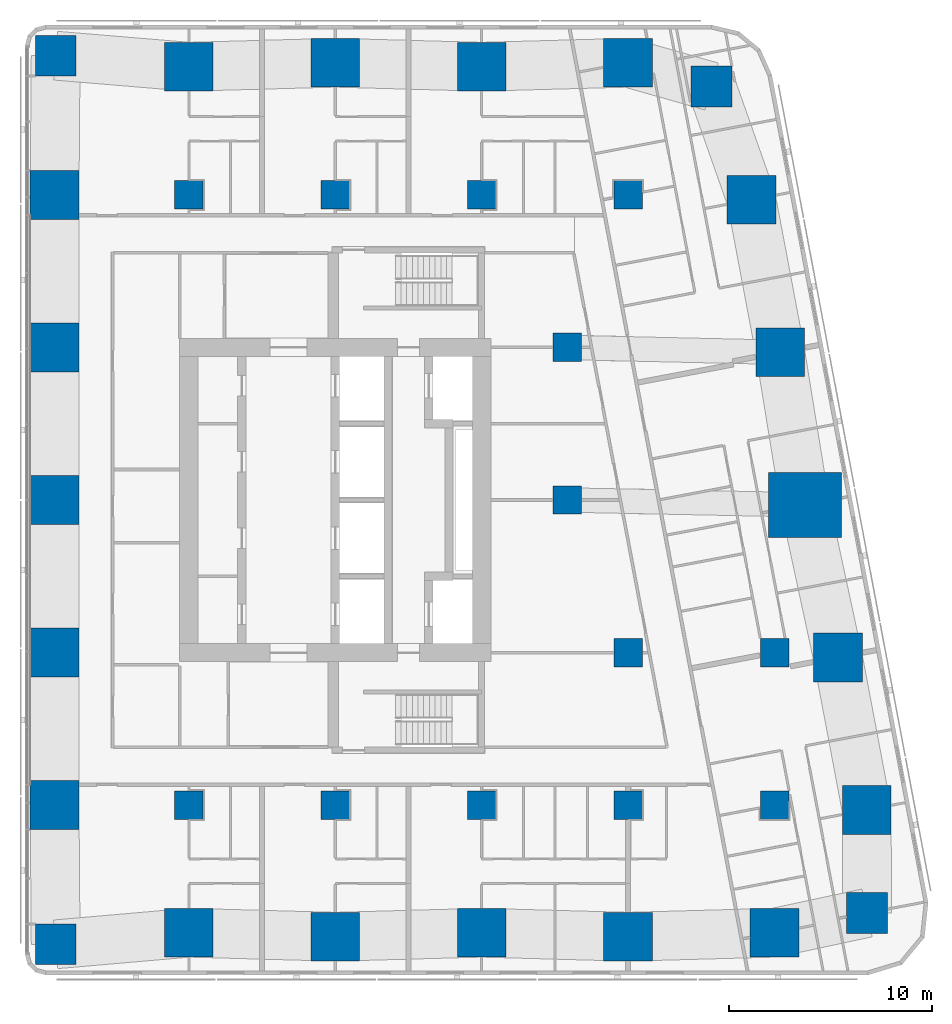
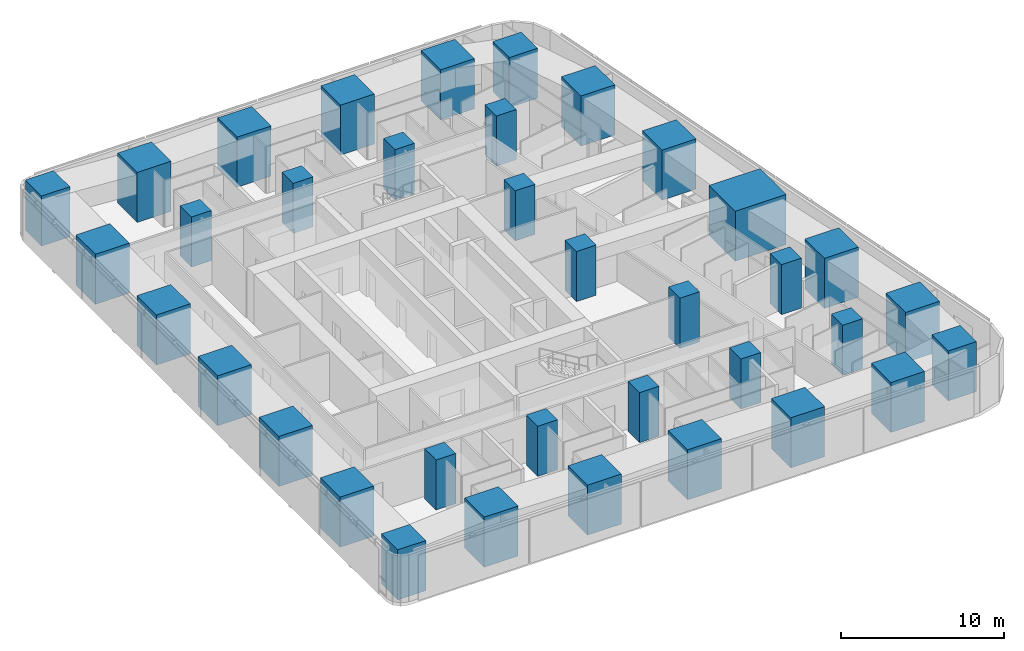
# One storey, part 1 of 17: 36 columns.
"""IFC4 building model written with IfcOpenShell, lengths in metres."""

from ifc_helpers import new_model, si_unit, direction, frame, origin, origin_2d, place, context, subcontext, project, spatial, rectangle, extrude, material, material_profile, profile_set, type_object, element, save


model = new_model("IFC4")

# Units and contexts
model_context = context("Model", 3, precision=1e-05, world=origin(), true_north=direction((0.0, 1.0)))
body_context = subcontext(model_context, "Body", "Model", "MODEL_VIEW")
ifc_project = project(units=[si_unit("LENGTHUNIT", "METRE"), si_unit("AREAUNIT", "SQUARE_METRE"), si_unit("VOLUMEUNIT", "CUBIC_METRE"), si_unit("PLANEANGLEUNIT", "RADIAN"), si_unit("MASSUNIT", "GRAM", prefix="KILO")], contexts=[model_context])

# Site, building, storey
site_placement = place(None, origin())
site = spatial("IfcSite", under=ifc_project, at=site_placement, CompositionType="ELEMENT")
building_placement = place(site_placement, origin())
building = spatial("IfcBuilding", under=site, at=building_placement, Name="Sheger Commons Tower", CompositionType="ELEMENT")
storey_placement = place(building_placement, frame((0.0, 0.0, 204.949951171875)))
storey = spatial("IfcBuildingStorey", under=building, at=storey_placement, Name="L52", CompositionType="ELEMENT", Elevation=204.949951171875)

# Columns
ifc_material_1 = material(Name="Concrete C50/60", Category="concrete")
ifc_material_profile_1 = material_profile(ifc_material_1, rectangle(XDim=3.60009765625, YDim=3.199951171875, at=origin_2d()), Name="RC 3600x3200")
ifc_profile_set_1 = profile_set([ifc_material_profile_1], Name="Concrete C50/60")
column_type_1 = type_object("IfcColumnType", Name="COLUMN PIER RC 3600x3200", PredefinedType="COLUMN", material=ifc_profile_set_1)
column_placement = place(storey_placement, frame((44.697021484375, 22.262939453125, 0.0), z_axis=(0.0, 0.0, 1.0), x_axis=(1.0, 0.0, 0.0)))
element("IfcColumn", 1, at=column_placement, inside=storey, type_object=column_type_1, Name="Pier 7/D+E/D L52", PredefinedType="COLUMN", context=body_context, shape_type="SweptSolid", body=[
    extrude(rectangle(XDim=3.60009765625, YDim=3.199951171875, at=origin_2d()), origin(), (0.0, 0.0, 1.0), 3.75),
])
ifc_material_2 = material(Name="Concrete C50/60", Category="concrete")
ifc_material_profile_2 = material_profile(ifc_material_2, rectangle(XDim=1.39990234375, YDim=1.39990234375, at=origin_2d()), Name="RC 1400x1400")
ifc_profile_set_2 = profile_set([ifc_material_profile_2], Name="Concrete C50/60")
column_type_2 = type_object("IfcColumnType", Name="COLUMN RC 1400x1400", PredefinedType="COLUMN", material=ifc_profile_set_2)
for number, where, z_axis, x_axis, name in (
    (2, (14.39990234375, 7.5, 0.0), (0.0, 0.0, 1.0), (1.0, 0.0, 0.0), "Column 3/B L52"),
    (3, (21.60009765625, 7.5, 0.0), (0.0, 0.0, 1.0), (1.0, 0.0, 0.0), "Column 4/B L52"),
    (4, (28.800048828125, 7.5, 0.0), (0.0, 0.0, 1.0), (1.0, 0.0, 0.0), "Column 5/B L52"),
    (5, (36.0, 7.5, 0.0), (0.0, 0.0, 1.0), (1.0, 0.0, 0.0), "Column 6/B L52"),
    (6, (43.199951171875, 7.5, 0.0), (0.0, 0.0, 1.0), (1.0, 0.0, 0.0), "Column 7/B L52"),
    (7, (36.0, 15.0, 0.0), (0.0, 0.0, 1.0), (1.0, 0.0, 0.0), "Column 6/C L52"),
    (8, (43.199951171875, 15.0, 0.0), (0.0, 0.0, 1.0), (1.0, 0.0, 0.0), "Column 7/C L52"),
    (9, (33.0, 22.5, 0.0), (0.0, 0.0, 1.0), (1.0, 0.0, 0.0), "Column 6-3000/D L52"),
    (10, (33.0, 30.0, 0.0), (0.0, 0.0, 1.0), (1.0, 0.0, 0.0), "Column 6-3000/E L52"),
    (11, (14.39990234375, 37.5, 0.0), (0.0, 0.0, 1.0), (1.0, 0.0, 0.0), "Column 3/F L52"),
    (12, (21.60009765625, 37.5, 0.0), (0.0, 0.0, 1.0), (1.0, 0.0, 0.0), "Column 4/F L52"),
    (13, (28.800048828125, 37.5, 0.0), (0.0, 0.0, 1.0), (1.0, 0.0, 0.0), "Column 5/F L52"),
    (14, (36.0, 37.5, 0.0), (0.0, 0.0, 1.0), (1.0, 0.0, 0.0), "Column 6/F L52"),
):
    element("IfcColumn", number, at=place(storey_placement, frame(where, z_axis=z_axis, x_axis=x_axis)), inside=storey, type_object=column_type_2, Name=name, PredefinedType="COLUMN", context=body_context, shape_type="SweptSolid", body=[
        extrude(rectangle(XDim=1.39990234375, YDim=1.39990234375, at=origin_2d()), origin(), (0.0, 0.0, 1.0), 3.75),
    ])
ifc_material_3 = material(Name="Concrete C50/60", Category="concrete")
ifc_material_profile_3 = material_profile(ifc_material_3, rectangle(XDim=2.0, YDim=2.0, at=origin_2d()), Name="RC 2000x2000")
ifc_profile_set_3 = profile_set([ifc_material_profile_3], Name="Concrete C50/60")
column_type_3 = type_object("IfcColumnType", Name="COLUMN RC 2000x2000", PredefinedType="COLUMN", material=ifc_profile_set_3)
for number, where, z_axis, x_axis, name in (
    (15, (7.85400390625, 0.654052734375, 0.0), (0.0, 0.0, 1.0), (1.0, 0.0, 0.0), "Column 2/A L52"),
    (16, (47.748046875, 2.197021484375, 0.0), (0.0, 0.0, 1.0), (1.0, 0.0, 0.0), "Column 49.461,0.778 L52"),
    (17, (40.10205078125, 42.830078125, 0.0), (0.0, 0.0, 1.0), (1.0, 0.0, 0.0), "Column 41.490,44.505 L52"),
    (18, (7.85400390625, 44.345947265625, 0.0), (0.0, 0.0, 1.0), (1.0, 0.0, 0.0), "Column 2/G L52"),
):
    element("IfcColumn", number, at=place(storey_placement, frame(where, z_axis=z_axis, x_axis=x_axis)), inside=storey, type_object=column_type_3, Name=name, PredefinedType="COLUMN", context=body_context, shape_type="SweptSolid", body=[
        extrude(rectangle(XDim=2.0, YDim=2.0, at=origin_2d()), origin(), (0.0, 0.0, 1.0), 3.75),
    ])
ifc_material_4 = material(Name="Concrete C50/60", Category="concrete")
ifc_material_profile_4 = material_profile(ifc_material_4, rectangle(XDim=2.39990234375, YDim=2.39990234375, at=origin_2d()), Name="RC 2400x2400")
ifc_profile_set_4 = profile_set([ifc_material_profile_4], Name="Concrete C50/60")
column_type_4 = type_object("IfcColumnType", Name="COLUMN RC 2400x2400", PredefinedType="COLUMN", material=ifc_profile_set_4)
for number, where, z_axis, x_axis, name in (
    (19, (14.39990234375, 1.22509765625, 0.0), (0.0, 0.0, 1.0), (1.0, 0.0, 0.0), "Column 3/A L52"),
    (20, (21.60009765625, 1.02490234375, 0.0), (0.0, 0.0, 1.0), (1.0, 0.0, 0.0), "Column 4/A L52"),
    (21, (28.800048828125, 1.22509765625, 0.0), (0.0, 0.0, 1.0), (1.0, 0.0, 0.0), "Column 5/A L52"),
    (22, (36.0, 1.02490234375, 0.0), (0.0, 0.0, 1.0), (1.0, 0.0, 0.0), "Column 6/A L52"),
    (23, (43.199951171875, 1.22509765625, 0.0), (0.0, 0.0, 1.0), (1.0, 0.0, 0.0), "Column 7/A L52"),
    (24, (7.800048828125, 7.5, 0.0), (0.0, 0.0, 1.0), (1.0, 0.0, 0.0), "Column 2/B L52"),
    (25, (47.72998046875, 7.262939453125, 0.0), (0.0, 0.0, 1.0), (1.0, 0.0, 0.0), "Column E/B L52"),
    (26, (7.800048828125, 15.0, 0.0), (0.0, 0.0, 1.0), (1.0, 0.0, 0.0), "Column 2/C L52"),
    (27, (46.31396484375, 14.762939453125, 0.0), (0.0, 0.0, 1.0), (1.0, 0.0, 0.0), "Column E/C L52"),
    (28, (7.800048828125, 22.5, 0.0), (0.0, 0.0, 1.0), (1.0, 0.0, 0.0), "Column 2/D L52"),
    (29, (7.800048828125, 30.0, 0.0), (0.0, 0.0, 1.0), (1.0, 0.0, 0.0), "Column 2/E L52"),
    (30, (43.47998046875, 29.762939453125, 0.0), (0.0, 0.0, 1.0), (1.0, 0.0, 0.0), "Column E/E L52"),
    (31, (7.800048828125, 37.5, 0.0), (0.0, 0.0, 1.0), (1.0, 0.0, 0.0), "Column 2/F L52"),
    (32, (42.06396484375, 37.262939453125, 0.0), (0.0, 0.0, 1.0), (1.0, 0.0, 0.0), "Column E/F L52"),
    (33, (14.39990234375, 43.800048828125, 0.0), (0.0, 0.0, 1.0), (1.0, 0.0, 0.0), "Column 3/G L52"),
    (34, (21.60009765625, 44.0, 0.0), (0.0, 0.0, 1.0), (1.0, 0.0, 0.0), "Column 4/G L52"),
    (35, (28.800048828125, 43.800048828125, 0.0), (0.0, 0.0, 1.0), (1.0, 0.0, 0.0), "Column 5/G L52"),
    (36, (36.0, 44.0, 0.0), (0.0, 0.0, 1.0), (1.0, 0.0, 0.0), "Column 6/G L52"),
):
    element("IfcColumn", number, at=place(storey_placement, frame(where, z_axis=z_axis, x_axis=x_axis)), inside=storey, type_object=column_type_4, Name=name, PredefinedType="COLUMN", context=body_context, shape_type="SweptSolid", body=[
        extrude(rectangle(XDim=2.39990234375, YDim=2.39990234375, at=origin_2d()), origin(), (0.0, 0.0, 1.0), 3.75),
    ])

save(model, "model.ifc")
